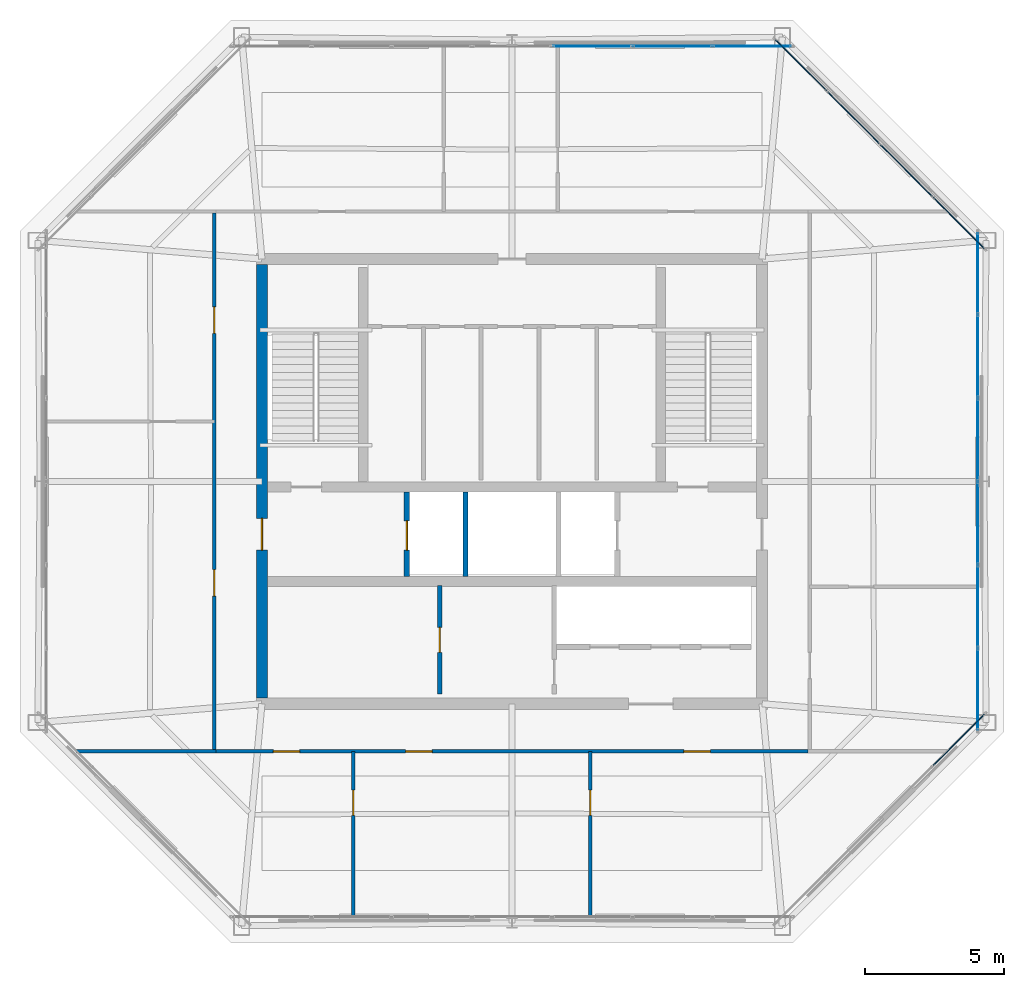
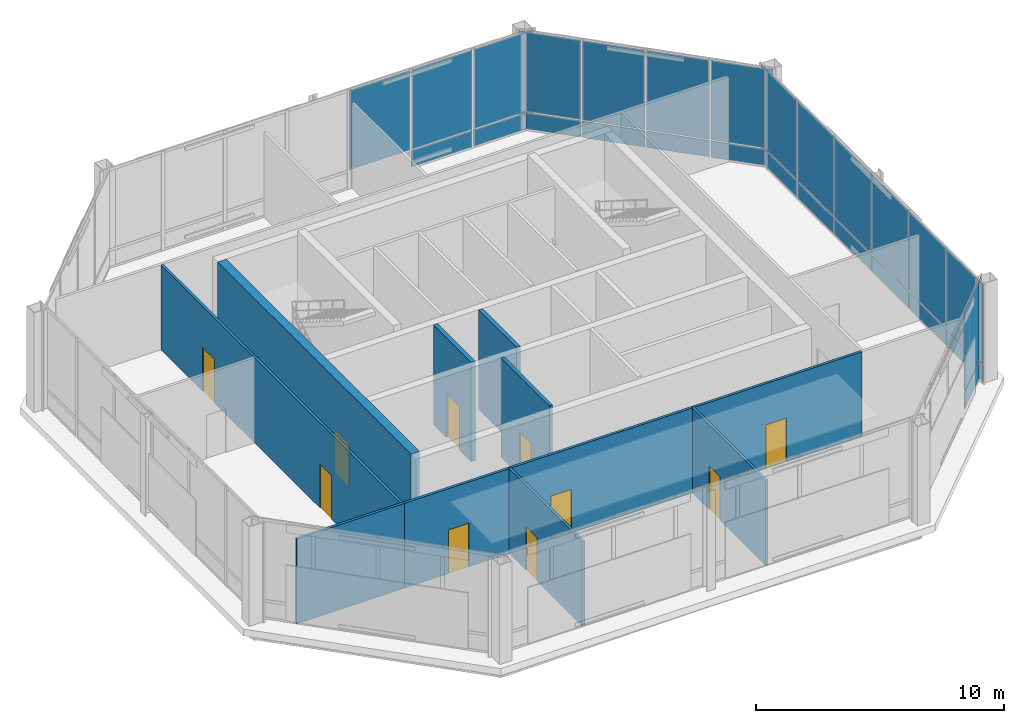
# One storey, part 18 of 21: 27 plates, 10 doors, 9 walls, 10 openings, 4 elements without a shape of their own.
"""IFC4 building model written with IfcOpenShell, lengths in metres."""

from ifc_helpers import new_model, si_unit, direction, frame, frame_2d, origin, origin_2d, place, context, subcontext, project, spatial, rectangle, extrude, material, layer, layer_set, type_object, element, fill, aggregate, save


model = new_model("IFC4")

# Units and contexts
model_context = context("Model", 3, precision=1e-05, world=origin(), true_north=direction((0.0, 1.0)))
body_context = subcontext(model_context, "Body", "Model", "MODEL_VIEW")
ifc_project = project(units=[si_unit("LENGTHUNIT", "METRE"), si_unit("AREAUNIT", "SQUARE_METRE"), si_unit("VOLUMEUNIT", "CUBIC_METRE"), si_unit("PLANEANGLEUNIT", "RADIAN"), si_unit("MASSUNIT", "GRAM", prefix="KILO")], contexts=[model_context])

# Site, building, storey
site_placement = place(None, origin())
site = spatial("IfcSite", under=ifc_project, at=site_placement, CompositionType="ELEMENT")
building_placement = place(site_placement, origin())
building = spatial("IfcBuilding", under=site, at=building_placement, Name="Caelvoria Tower", CompositionType="ELEMENT")
storey_placement = place(building_placement, frame((0.0, 0.0, 279.0)))
storey = spatial("IfcBuildingStorey", under=building, at=storey_placement, Name="L74", CompositionType="ELEMENT", Elevation=279.0)

# Curtain wall, plate
ifc_material_1 = material(Name="Anodised Bronze Aluminium and Low-E Glass", Category="aluminium")
ifc_layer_1 = layer(ifc_material_1, 0.205078125, Name="Anodised Bronze Aluminium and Low-E Glass")
ifc_layer_set_1 = layer_set([ifc_layer_1], Name="CW System 5 Observation Panorama Low-Iron Facade - Anodised Bronze Aluminium and Low-E Glass")
curtain_wall_type = type_object("IfcCurtainWallType", Name="CW System 5 Observation Panorama Low-Iron Facade", PredefinedType="NOTDEFINED", material=ifc_layer_set_1)
curtain_wall_1_placement = place(storey_placement, origin())
curtain_wall_1 = element("IfcCurtainWall", 1, at=curtain_wall_1_placement, inside=storey, type_object=curtain_wall_type, Name="CW-05 Curtain Wall L74-E1", PredefinedType="NOTDEFINED")
ifc_material_2 = material(Name="Tinted Low-E Insulated Glazing Unit", Category="glass")
ifc_layer_2 = layer(ifc_material_2, 0.028076171875, Name="Tinted Low-E Insulated Glazing Unit")
ifc_layer_set_2 = layer_set([ifc_layer_2], Name="Double-Glazed Solar-Control Vision Panel 28 - Tinted Low-E Insulated Glazing Unit")
plate_type_1 = type_object("IfcPlateType", Name="Double-Glazed Solar-Control Vision Panel 28", PredefinedType="CURTAIN_PANEL", material=ifc_layer_set_2)
plate_1_placement = place(storey_placement, frame((62.07373046875, 22.703125, 0.9326171875), z_axis=(0.0, 0.0, 1.0), x_axis=(0.707106781187, 0.707106781187, 0.0)))
plate_1 = element("IfcPlate", 2, at=plate_1_placement, type_object=plate_type_1, Name="CW-05 panel 4.2", PredefinedType="CURTAIN_PANEL", context=body_context, shape_type="SweptSolid", body=[
    extrude(rectangle(XDim=2.589599609375, YDim=0.028076171875, at=origin_2d()), origin(), (0.0, 0.0, 1.0), 3.902587890625),
])

# Curtain wall, plates
curtain_wall_2_placement = place(storey_placement, origin())
curtain_wall_2 = element("IfcCurtainWall", 3, at=curtain_wall_2_placement, inside=storey, type_object=curtain_wall_type, Name="CW-05 Curtain Wall L74-E2", PredefinedType="NOTDEFINED")
plate_2_placement = place(storey_placement, frame((62.760009765625, 24.516357421875, 0.9326171875), z_axis=(0.0, 0.0, 1.0), x_axis=(0.0, 1.0, 0.0)))
plate_2 = element("IfcPlate", 4, at=plate_2_placement, type_object=plate_type_1, Name="CW-05 panel 1.2", PredefinedType="CURTAIN_PANEL", context=body_context, shape_type="SweptSolid", body=[
    extrude(rectangle(XDim=2.902587890625, YDim=0.028076171875, at=origin_2d()), origin(), (0.0, 0.0, 1.0), 3.902587890625),
])
plate_3_placement = place(storey_placement, frame((62.760009765625, 27.5, 0.9326171875), z_axis=(0.0, 0.0, 1.0), x_axis=(0.0, 1.0, 0.0)))
plate_3 = element("IfcPlate", 5, at=plate_3_placement, type_object=plate_type_1, Name="CW-05 panel 2.2", PredefinedType="CURTAIN_PANEL", context=body_context, shape_type="SweptSolid", body=[
    extrude(rectangle(XDim=2.93505859375, YDim=0.028076171875, at=origin_2d()), origin(), (0.0, 0.0, 1.0), 3.902587890625),
])
plate_4_placement = place(storey_placement, frame((62.760009765625, 30.5, 0.9326171875), z_axis=(0.0, 0.0, 1.0), x_axis=(0.0, 1.0, 0.0)))
plate_4 = element("IfcPlate", 6, at=plate_4_placement, type_object=plate_type_1, Name="CW-05 panel 3.2", PredefinedType="CURTAIN_PANEL", context=body_context, shape_type="SweptSolid", body=[
    extrude(rectangle(XDim=2.93505859375, YDim=0.028076171875, at=origin_2d()), origin(), (0.0, 0.0, 1.0), 3.902587890625),
])
plate_5_placement = place(storey_placement, frame((62.760009765625, 33.5, 0.9326171875), z_axis=(0.0, 0.0, 1.0), x_axis=(0.0, 1.0, 0.0)))
plate_5 = element("IfcPlate", 7, at=plate_5_placement, type_object=plate_type_1, Name="CW-05 panel 4.2", PredefinedType="CURTAIN_PANEL", context=body_context, shape_type="SweptSolid", body=[
    extrude(rectangle(XDim=2.93505859375, YDim=0.028076171875, at=origin_2d()), origin(), (0.0, 0.0, 1.0), 3.902587890625),
])
plate_6_placement = place(storey_placement, frame((62.760009765625, 36.5, 0.9326171875), z_axis=(0.0, 0.0, 1.0), x_axis=(0.0, 1.0, 0.0)))
plate_6 = element("IfcPlate", 8, at=plate_6_placement, type_object=plate_type_1, Name="CW-05 panel 5.2", PredefinedType="CURTAIN_PANEL", context=body_context, shape_type="SweptSolid", body=[
    extrude(rectangle(XDim=2.93505859375, YDim=0.028076171875, at=origin_2d()), origin(), (0.0, 0.0, 1.0), 3.902587890625),
])
plate_7_placement = place(storey_placement, frame((62.760009765625, 39.483642578125, 0.9326171875), z_axis=(0.0, 0.0, 1.0), x_axis=(0.0, 1.0, 0.0)))
plate_7 = element("IfcPlate", 9, at=plate_7_placement, type_object=plate_type_1, Name="CW-05 panel 6.2", PredefinedType="CURTAIN_PANEL", context=body_context, shape_type="SweptSolid", body=[
    extrude(rectangle(XDim=2.902587890625, YDim=0.028076171875, at=origin_2d()), origin(), (0.0, 0.0, 1.0), 3.902587890625),
])

curtain_wall_3_placement = place(storey_placement, origin())
curtain_wall_3 = element("IfcCurtainWall", 10, at=curtain_wall_3_placement, inside=storey, type_object=curtain_wall_type, Name="CW-05 Curtain Wall L74-E3", PredefinedType="NOTDEFINED")
plate_8_placement = place(storey_placement, frame((62.07373046875, 41.296875, 0.9326171875), z_axis=(0.0, 0.0, 1.0), x_axis=(-0.707106781187, 0.707106781187, 0.0)))
plate_8 = element("IfcPlate", 11, at=plate_8_placement, type_object=plate_type_1, Name="CW-05 panel 1.2", PredefinedType="CURTAIN_PANEL", context=body_context, shape_type="SweptSolid", body=[
    extrude(rectangle(XDim=2.589599609375, YDim=0.028076171875, at=origin_2d()), origin(), (0.0, 0.0, 1.0), 3.902587890625),
])
plate_9_placement = place(storey_placement, frame((60.185302734375, 43.185302734375, 0.9326171875), z_axis=(0.0, 0.0, 1.0), x_axis=(-0.707106781187, 0.707106781187, 0.0)))
plate_9 = element("IfcPlate", 12, at=plate_9_placement, type_object=plate_type_1, Name="CW-05 panel 2.2", PredefinedType="CURTAIN_PANEL", context=body_context, shape_type="SweptSolid", body=[
    extrude(rectangle(XDim=2.6220703125, YDim=0.028076171875, at=origin_2d()), origin(), (0.0, 0.0, 1.0), 3.902587890625),
])
plate_10_placement = place(storey_placement, frame((58.285400390625, 45.085205078125, 0.9326171875), z_axis=(0.0, 0.0, 1.0), x_axis=(-0.707106781187, 0.707106781187, 0.0)))
plate_10 = element("IfcPlate", 13, at=plate_10_placement, type_object=plate_type_1, Name="CW-05 panel 3.2", PredefinedType="CURTAIN_PANEL", context=body_context, shape_type="SweptSolid", body=[
    extrude(rectangle(XDim=2.6220703125, YDim=0.028076171875, at=origin_2d()), origin(), (0.0, 0.0, 1.0), 3.902587890625),
])
plate_11_placement = place(storey_placement, frame((56.396728515625, 46.973876953125, 0.9326171875), z_axis=(0.0, 0.0, 1.0), x_axis=(-0.707106781187, 0.707106781187, 0.0)))
plate_11 = element("IfcPlate", 14, at=plate_11_placement, type_object=plate_type_1, Name="CW-05 panel 4.2", PredefinedType="CURTAIN_PANEL", context=body_context, shape_type="SweptSolid", body=[
    extrude(rectangle(XDim=2.589599609375, YDim=0.028076171875, at=origin_2d()), origin(), (0.0, 0.0, 1.0), 3.902587890625),
])

curtain_wall_4_placement = place(storey_placement, origin())
curtain_wall_4 = element("IfcCurtainWall", 15, at=curtain_wall_4_placement, inside=storey, type_object=curtain_wall_type, Name="CW-05 Curtain Wall L74-E4", PredefinedType="NOTDEFINED")
plate_12_placement = place(storey_placement, frame((54.640869140625, 47.659912109375, 0.9326171875), z_axis=(0.0, 0.0, 1.0), x_axis=(-1.0, 0.0, 0.0)))
plate_12 = element("IfcPlate", 16, at=plate_12_placement, type_object=plate_type_1, Name="CW-05 panel 1.2", PredefinedType="CURTAIN_PANEL", context=body_context, shape_type="SweptSolid", body=[
    extrude(rectangle(XDim=2.788330078125, YDim=0.028076171875, at=origin_2d()), origin(), (0.0, 0.0, 1.0), 3.902587890625),
])
plate_13_placement = place(storey_placement, frame((51.771484375, 47.659912109375, 0.9326171875), z_axis=(0.0, 0.0, 1.0), x_axis=(-1.0, 0.0, 0.0)))
plate_13 = element("IfcPlate", 17, at=plate_13_placement, type_object=plate_type_1, Name="CW-05 panel 2.2", PredefinedType="CURTAIN_PANEL", context=body_context, shape_type="SweptSolid", body=[
    extrude(rectangle(XDim=2.82080078125, YDim=0.028076171875, at=origin_2d()), origin(), (0.0, 0.0, 1.0), 3.902587890625),
])
plate_14_placement = place(storey_placement, frame((48.8857421875, 47.659912109375, 0.9326171875), z_axis=(0.0, 0.0, 1.0), x_axis=(-1.0, 0.0, 0.0)))
plate_14 = element("IfcPlate", 18, at=plate_14_placement, type_object=plate_type_1, Name="CW-05 panel 3.2", PredefinedType="CURTAIN_PANEL", context=body_context, shape_type="SweptSolid", body=[
    extrude(rectangle(XDim=2.82080078125, YDim=0.028076171875, at=origin_2d()), origin(), (0.0, 0.0, 1.0), 3.902587890625),
])

# Plate
ifc_material_3 = material(Name="Anodised Bronze Insulated Aluminium Panel", Category="aluminium")
ifc_layer_3 = layer(ifc_material_3, 0.031982421875, Name="Anodised Bronze Insulated Aluminium Panel")
ifc_layer_set_3 = layer_set([ifc_layer_3], Name="Insulated Bronze Spandrel Curtain Panel 32 - Anodised Bronze Insulated Aluminium Panel")
plate_type_2 = type_object("IfcPlateType", Name="Insulated Bronze Spandrel Curtain Panel 32", PredefinedType="CURTAIN_PANEL", material=ifc_layer_set_3)
plate_15_placement = place(storey_placement, frame((62.07373046875, 22.703125, 0.06494140625), z_axis=(0.0, 0.0, 1.0), x_axis=(0.707106781187, 0.707106781187, 0.0)))
plate_15 = element("IfcPlate", 19, at=plate_15_placement, type_object=plate_type_2, Name="CW-05 panel 4.1", PredefinedType="CURTAIN_PANEL", context=body_context, shape_type="SweptSolid", body=[
    extrude(rectangle(XDim=2.589599609375, YDim=0.031982421875, at=origin_2d()), origin(), (0.0, 0.0, 1.0), 0.802490234375),
])

aggregate(curtain_wall_1, [plate_15, plate_1])

plate_16_placement = place(storey_placement, frame((62.760009765625, 24.516357421875, 0.06494140625), z_axis=(0.0, 0.0, 1.0), x_axis=(0.0, 1.0, 0.0)))
plate_16 = element("IfcPlate", 20, at=plate_16_placement, type_object=plate_type_2, Name="CW-05 panel 1.1", PredefinedType="CURTAIN_PANEL", context=body_context, shape_type="SweptSolid", body=[
    extrude(rectangle(XDim=2.902587890625, YDim=0.031982421875, at=origin_2d()), origin(), (0.0, 0.0, 1.0), 0.802490234375),
])

plate_17_placement = place(storey_placement, frame((62.760009765625, 27.5, 0.06494140625), z_axis=(0.0, 0.0, 1.0), x_axis=(0.0, 1.0, 0.0)))
plate_17 = element("IfcPlate", 21, at=plate_17_placement, type_object=plate_type_2, Name="CW-05 panel 2.1", PredefinedType="CURTAIN_PANEL", context=body_context, shape_type="SweptSolid", body=[
    extrude(rectangle(XDim=2.93505859375, YDim=0.031982421875, at=origin_2d()), origin(), (0.0, 0.0, 1.0), 0.802490234375),
])

plate_18_placement = place(storey_placement, frame((62.760009765625, 30.5, 0.06494140625), z_axis=(0.0, 0.0, 1.0), x_axis=(0.0, 1.0, 0.0)))
plate_18 = element("IfcPlate", 22, at=plate_18_placement, type_object=plate_type_2, Name="CW-05 panel 3.1", PredefinedType="CURTAIN_PANEL", context=body_context, shape_type="SweptSolid", body=[
    extrude(rectangle(XDim=2.93505859375, YDim=0.031982421875, at=origin_2d()), origin(), (0.0, 0.0, 1.0), 0.802490234375),
])

plate_19_placement = place(storey_placement, frame((62.760009765625, 33.5, 0.06494140625), z_axis=(0.0, 0.0, 1.0), x_axis=(0.0, 1.0, 0.0)))
plate_19 = element("IfcPlate", 23, at=plate_19_placement, type_object=plate_type_2, Name="CW-05 panel 4.1", PredefinedType="CURTAIN_PANEL", context=body_context, shape_type="SweptSolid", body=[
    extrude(rectangle(XDim=2.93505859375, YDim=0.031982421875, at=origin_2d()), origin(), (0.0, 0.0, 1.0), 0.802490234375),
])

plate_20_placement = place(storey_placement, frame((62.760009765625, 36.5, 0.06494140625), z_axis=(0.0, 0.0, 1.0), x_axis=(0.0, 1.0, 0.0)))
plate_20 = element("IfcPlate", 24, at=plate_20_placement, type_object=plate_type_2, Name="CW-05 panel 5.1", PredefinedType="CURTAIN_PANEL", context=body_context, shape_type="SweptSolid", body=[
    extrude(rectangle(XDim=2.93505859375, YDim=0.031982421875, at=origin_2d()), origin(), (0.0, 0.0, 1.0), 0.802490234375),
])

plate_21_placement = place(storey_placement, frame((62.760009765625, 39.483642578125, 0.06494140625), z_axis=(0.0, 0.0, 1.0), x_axis=(0.0, 1.0, 0.0)))
plate_21 = element("IfcPlate", 25, at=plate_21_placement, type_object=plate_type_2, Name="CW-05 panel 6.1", PredefinedType="CURTAIN_PANEL", context=body_context, shape_type="SweptSolid", body=[
    extrude(rectangle(XDim=2.902587890625, YDim=0.031982421875, at=origin_2d()), origin(), (0.0, 0.0, 1.0), 0.802490234375),
])

aggregate(curtain_wall_2, [plate_16, plate_2, plate_17, plate_3, plate_18, plate_4, plate_19, plate_5, plate_20, plate_6, plate_21, plate_7])

plate_22_placement = place(storey_placement, frame((62.07373046875, 41.296875, 0.06494140625), z_axis=(0.0, 0.0, 1.0), x_axis=(-0.707106781187, 0.707106781187, 0.0)))
plate_22 = element("IfcPlate", 26, at=plate_22_placement, type_object=plate_type_2, Name="CW-05 panel 1.1", PredefinedType="CURTAIN_PANEL", context=body_context, shape_type="SweptSolid", body=[
    extrude(rectangle(XDim=2.589599609375, YDim=0.031982421875, at=origin_2d()), origin(), (0.0, 0.0, 1.0), 0.802490234375),
])

plate_23_placement = place(storey_placement, frame((60.185302734375, 43.185302734375, 0.06494140625), z_axis=(0.0, 0.0, 1.0), x_axis=(-0.707106781187, 0.707106781187, 0.0)))
plate_23 = element("IfcPlate", 27, at=plate_23_placement, type_object=plate_type_2, Name="CW-05 panel 2.1", PredefinedType="CURTAIN_PANEL", context=body_context, shape_type="SweptSolid", body=[
    extrude(rectangle(XDim=2.6220703125, YDim=0.031982421875, at=origin_2d()), origin(), (0.0, 0.0, 1.0), 0.802490234375),
])

plate_24_placement = place(storey_placement, frame((58.285400390625, 45.085205078125, 0.06494140625), z_axis=(0.0, 0.0, 1.0), x_axis=(-0.707106781187, 0.707106781187, 0.0)))
plate_24 = element("IfcPlate", 28, at=plate_24_placement, type_object=plate_type_2, Name="CW-05 panel 3.1", PredefinedType="CURTAIN_PANEL", context=body_context, shape_type="SweptSolid", body=[
    extrude(rectangle(XDim=2.6220703125, YDim=0.031982421875, at=origin_2d()), origin(), (0.0, 0.0, 1.0), 0.802490234375),
])

plate_25_placement = place(storey_placement, frame((56.396728515625, 46.973876953125, 0.06494140625), z_axis=(0.0, 0.0, 1.0), x_axis=(-0.707106781187, 0.707106781187, 0.0)))
plate_25 = element("IfcPlate", 29, at=plate_25_placement, type_object=plate_type_2, Name="CW-05 panel 4.1", PredefinedType="CURTAIN_PANEL", context=body_context, shape_type="SweptSolid", body=[
    extrude(rectangle(XDim=2.589599609375, YDim=0.031982421875, at=origin_2d()), origin(), (0.0, 0.0, 1.0), 0.802490234375),
])

aggregate(curtain_wall_3, [plate_22, plate_8, plate_23, plate_9, plate_24, plate_10, plate_25, plate_11])

plate_26_placement = place(storey_placement, frame((54.640869140625, 47.659912109375, 0.06494140625), z_axis=(0.0, 0.0, 1.0), x_axis=(-1.0, 0.0, 0.0)))
plate_26 = element("IfcPlate", 30, at=plate_26_placement, type_object=plate_type_2, Name="CW-05 panel 1.1", PredefinedType="CURTAIN_PANEL", context=body_context, shape_type="SweptSolid", body=[
    extrude(rectangle(XDim=2.788330078125, YDim=0.031982421875, at=origin_2d()), origin(), (0.0, 0.0, 1.0), 0.802490234375),
])

plate_27_placement = place(storey_placement, frame((51.771484375, 47.659912109375, 0.06494140625), z_axis=(0.0, 0.0, 1.0), x_axis=(-1.0, 0.0, 0.0)))
plate_27 = element("IfcPlate", 31, at=plate_27_placement, type_object=plate_type_2, Name="CW-05 panel 2.1", PredefinedType="CURTAIN_PANEL", context=body_context, shape_type="SweptSolid", body=[
    extrude(rectangle(XDim=2.82080078125, YDim=0.031982421875, at=origin_2d()), origin(), (0.0, 0.0, 1.0), 0.802490234375),
])

aggregate(curtain_wall_4, [plate_26, plate_12, plate_27, plate_13, plate_14])

# Wall, opening, door
ifc_material_4 = material(Name="Double Gypsum Board on Steel Stud", Category="steel")
ifc_layer_4 = layer(ifc_material_4, 0.14990234375, Name="Double Gypsum Board on Steel Stud")
ifc_layer_set_4 = layer_set([ifc_layer_4], Name="Core Service Acoustic Partition Wall 150 - Double Gypsum Board on Steel Stud")
wall_type_1 = type_object("IfcWallType", Name="Core Service Acoustic Partition Wall 150", PredefinedType="PARTITIONING", material=ifc_layer_set_4)
wall_1_placement = place(storey_placement, frame((43.39990234375, 24.35009765625, 0.0), z_axis=(0.0, 0.0, 1.0), x_axis=(0.0, 1.0, 0.0)))
wall_1 = element("IfcWall", 32, at=wall_1_placement, inside=storey, type_object=wall_type_1, Name="Interior Partition IW-L74-RECL-MID", PredefinedType="PARTITIONING", context=body_context, shape_type="SweptSolid", body=[
    extrude(rectangle(XDim=3.89990234375, YDim=0.14990234375, at=frame_2d((1.949951171875, 0.0))), origin(), (0.0, 0.0, 1.0), 4.89990234375),
])
opening_1_placement = place(wall_1_placement, frame((1.5, 0.0, 0.0)))
opening_1 = element("IfcOpeningElement", 33, at=opening_1_placement, cuts=wall_1, Name="Opening ID-06", PredefinedType="OPENING", context=body_context, shape_type="SweptSolid", body=[
    extrude(rectangle(XDim=0.89990234375, YDim=2.14990234375, at=frame_2d((0.449951171875, 1.074951171875))), frame((0.0, 0.0849609375, 0.0), z_axis=(0.0, -1.0, 0.0), x_axis=(1.0, 0.0, 0.0)), (0.0, 0.0, 1.0), 0.169921875),
])
ifc_material_5 = material(Name="Engineered Andean Oak Veneer Door", Category="wood")
door_type_1 = type_object("IfcDoorType", Name="Interior Timber Door 900x2150", OperationType="NOTDEFINED", PredefinedType="DOOR", material=ifc_material_5)
door_1_placement = place(opening_1_placement, origin())
door_1 = element("IfcDoor", 34, at=door_1_placement, inside=storey, type_object=door_type_1, Name="Interior Door DR-L74-RECL12", OperationType="SINGLE_SWING_LEFT", OverallHeight=2.14990234375, OverallWidth=0.89990234375, PredefinedType="DOOR", context=body_context, shape_type="SweptSolid", body=[
    extrude(rectangle(XDim=0.89990234375, YDim=2.14990234375, at=frame_2d((0.449951171875, 1.074951171875))), frame((0.0, 0.02490234375, 0.0), z_axis=(0.0, -1.0, 0.0), x_axis=(1.0, 0.0, 0.0)), (0.0, 0.0, 1.0), 0.050048828125),
])
fill(opening_1, door_1)

# Wall
ifc_material_6 = material(Name="Concrete Block and Fireboard Assembly", Category="concrete")
ifc_layer_5 = layer(ifc_material_6, 0.179931640625, Name="Concrete Block and Fireboard Assembly")
ifc_layer_set_5 = layer_set([ifc_layer_5], Name="Fire-Rated Hoistway Partition Wall 180 - Concrete Block and Fireboard Assembly")
wall_type_2 = type_object("IfcWallType", Name="Fire-Rated Hoistway Partition Wall 180", PredefinedType="PARTITIONING", material=ifc_layer_set_5)
wall_2_placement = place(storey_placement, frame((44.320068359375, 28.580078125, 0.0), z_axis=(0.0, 0.0, 1.0), x_axis=(0.0, 1.0, 0.0)))
element("IfcWall", 35, at=wall_2_placement, inside=storey, type_object=wall_type_2, Name="Interior Partition IW-L74-SV1W", PredefinedType="PARTITIONING", context=body_context, shape_type="SweptSolid", body=[
    extrude(rectangle(XDim=3.0400390625, YDim=0.179931640625, at=frame_2d((1.52001953125, 0.0))), origin(), (0.0, 0.0, 1.0), 4.89990234375),
])

# Wall, opening, door
ifc_layer_6 = layer(ifc_material_6, 0.199951171875, Name="Concrete Block and Fireboard Assembly")
ifc_layer_set_6 = layer_set([ifc_layer_6], Name="Fire-Rated Shaft and Core Partition Wall 200 - Concrete Block and Fireboard Assembly")
wall_type_3 = type_object("IfcWallType", Name="Fire-Rated Shaft and Core Partition Wall 200", PredefinedType="PARTITIONING", material=ifc_layer_set_6)
wall_3_placement = place(storey_placement, frame((42.219970703125, 28.580078125, 0.0), z_axis=(0.0, 0.0, 1.0), x_axis=(0.0, 1.0, 0.0)))
wall_3 = element("IfcWall", 36, at=wall_3_placement, inside=storey, type_object=wall_type_3, Name="Interior Partition IW-L74-LF1W", PredefinedType="PARTITIONING", context=body_context, shape_type="SweptSolid", body=[
    extrude(rectangle(XDim=3.0400390625, YDim=0.199951171875, at=frame_2d((1.52001953125, 0.0))), origin(), (0.0, 0.0, 1.0), 4.89990234375),
])
opening_2_placement = place(wall_3_placement, frame((0.949951171875, 0.0, 0.0)))
opening_2 = element("IfcOpeningElement", 37, at=opening_2_placement, cuts=wall_3, Name="Opening LD-01", PredefinedType="OPENING", context=body_context, shape_type="SweptSolid", body=[
    extrude(rectangle(XDim=1.050048828125, YDim=2.14990234375, at=frame_2d((0.52490234375, 1.074951171875))), frame((0.0, 0.10986328125, 0.0), z_axis=(0.0, -1.0, 0.0), x_axis=(1.0, 0.0, 0.0)), (0.0, 0.0, 1.0), 0.219970703125),
])
ifc_material_7 = material(Name="Brushed Bronze Stainless Sliding Landing Door", Category="aluminium")
door_type_2 = type_object("IfcDoorType", Name="Lift Landing Sliding Door 1100x2150", OperationType="NOTDEFINED", PredefinedType="DOOR", material=ifc_material_7)
door_2_placement = place(opening_2_placement, origin())
door_2 = element("IfcDoor", 38, at=door_2_placement, inside=storey, type_object=door_type_2, Name="Interior Door LD-L74-LF1", OperationType="SLIDING_TO_LEFT", OverallHeight=2.14990234375, OverallWidth=1.050048828125, PredefinedType="DOOR", context=body_context, shape_type="SweptSolid", body=[
    extrude(rectangle(XDim=1.050048828125, YDim=2.14990234375, at=frame_2d((0.52490234375, 1.074951171875))), frame((0.0, 0.02490234375, 0.0), z_axis=(0.0, -1.0, 0.0), x_axis=(1.0, 0.0, 0.0)), (0.0, 0.0, 1.0), 0.050048828125),
])
fill(opening_2, door_2)

ifc_material_8 = material(Name="Concrete C50/60", Category="concrete")
ifc_layer_7 = layer(ifc_material_8, 0.39990234375, Name="Concrete C50/60")
ifc_layer_set_7 = layer_set([ifc_layer_7], Name="Summit Core Shear Wall 400 - Concrete C50/60")
wall_type_4 = type_object("IfcWallType", Name="Summit Core Shear Wall 400", PredefinedType="SHEAR", material=ifc_layer_set_7)
wall_4_placement = place(storey_placement, frame((37.0, 24.199951171875, 0.0), z_axis=(0.0, 0.0, 1.0), x_axis=(0.0, 1.0, 0.0)))
wall_4 = element("IfcWall", 39, at=wall_4_placement, inside=storey, type_object=wall_type_4, Name="Core Shear Wall L74 W", PredefinedType="SHEAR", context=body_context, shape_type="SweptSolid", body=[
    extrude(rectangle(XDim=15.60009765625, YDim=0.39990234375, at=frame_2d((7.800048828125, 0.0))), origin(), (0.0, 0.0, 1.0), 4.89990234375),
])
opening_3_placement = place(wall_4_placement, frame((5.324951171875, 0.0, 0.0)))
opening_3 = element("IfcOpeningElement", 40, at=opening_3_placement, cuts=wall_4, Name="Opening ID-02", PredefinedType="OPENING", context=body_context, shape_type="SweptSolid", body=[
    extrude(rectangle(XDim=1.14990234375, YDim=2.14990234375, at=frame_2d((0.574951171875, 1.074951171875))), frame((0.0, 0.2099609375, 0.0), z_axis=(0.0, -1.0, 0.0), x_axis=(1.0, 0.0, 0.0)), (0.0, 0.0, 1.0), 0.419921875),
])
ifc_material_9 = material(Name="Painted Hollow Steel Fire Door", Category="steel")
door_type_3 = type_object("IfcDoorType", Name="Fire Door FD60S 1150x2150", OperationType="NOTDEFINED", PredefinedType="DOOR", material=ifc_material_9)
door_3_placement = place(opening_3_placement, origin())
door_3 = element("IfcDoor", 41, at=door_3_placement, inside=storey, type_object=door_type_3, Name="Core Door DR-L74-FFLW-OUT", OperationType="SINGLE_SWING_LEFT", OverallHeight=2.14990234375, OverallWidth=1.14990234375, PredefinedType="DOOR", context=body_context, shape_type="SweptSolid", body=[
    extrude(rectangle(XDim=1.14990234375, YDim=2.14990234375, at=frame_2d((0.574951171875, 1.074951171875))), frame((0.0, 0.02490234375, 0.0), z_axis=(0.0, -1.0, 0.0), x_axis=(1.0, 0.0, 0.0)), (0.0, 0.0, 1.0), 0.050048828125),
])
fill(opening_3, door_3)

ifc_material_10 = material(Name="Acoustic Gypsum Board on Light-Gauge Stud", Category="gypsum")
ifc_layer_8 = layer(ifc_material_10, 0.1201171875, Name="Acoustic Gypsum Board on Light-Gauge Stud")
ifc_layer_set_8 = layer_set([ifc_layer_8], Name="Tenant Suite Acoustic Partition Wall 120 - Acoustic Gypsum Board on Light-Gauge Stud")
wall_type_5 = type_object("IfcWallType", Name="Tenant Suite Acoustic Partition Wall 120", PredefinedType="PARTITIONING", material=ifc_layer_set_8)
wall_5_placement = place(storey_placement, frame((40.287109375, 22.2900390625, 0.0), z_axis=(0.0, 0.0, 1.0), x_axis=(0.0, -1.0, 0.0)))
wall_5 = element("IfcWall", 42, at=wall_5_placement, inside=storey, type_object=wall_type_5, Name="Interior Partition IW-L74-SD-00-0", PredefinedType="PARTITIONING", context=body_context, shape_type="SweptSolid", body=[
    extrude(rectangle(XDim=5.949951171875, YDim=0.1201171875, at=frame_2d((2.97509765625, 0.0))), origin(), (0.0, 0.0, 1.0), 4.179931640625),
])
opening_4_placement = place(wall_5_placement, frame((1.39990234375, 0.0, 0.0)))
opening_4 = element("IfcOpeningElement", 43, at=opening_4_placement, cuts=wall_5, Name="Opening ID-06", PredefinedType="OPENING", context=body_context, shape_type="SweptSolid", body=[
    extrude(rectangle(XDim=0.89990234375, YDim=2.14990234375, at=frame_2d((0.449951171875, 1.074951171875))), frame((0.0, 0.070068359375, 0.0), z_axis=(0.0, -1.0, 0.0), x_axis=(1.0, 0.0, 0.0)), (0.0, 0.0, 1.0), 0.14013671875),
])
door_4_placement = place(opening_4_placement, origin())
door_4 = element("IfcDoor", 44, at=door_4_placement, inside=storey, type_object=door_type_1, Name="Interior Door DR-L74-SM-00-0", OperationType="SINGLE_SWING_RIGHT", OverallHeight=2.14990234375, OverallWidth=0.89990234375, PredefinedType="DOOR", context=body_context, shape_type="SweptSolid", body=[
    extrude(rectangle(XDim=0.89990234375, YDim=2.14990234375, at=frame_2d((0.449951171875, 1.074951171875))), frame((0.0, 0.02490234375, 0.0), z_axis=(0.0, -1.0, 0.0), x_axis=(1.0, 0.0, 0.0)), (0.0, 0.0, 1.0), 0.050048828125),
])
fill(opening_4, door_4)

wall_6_placement = place(storey_placement, frame((48.81396484375, 22.2900390625, 0.0), z_axis=(0.0, 0.0, 1.0), x_axis=(0.0, -1.0, 0.0)))
wall_6 = element("IfcWall", 45, at=wall_6_placement, inside=storey, type_object=wall_type_5, Name="Interior Partition IW-L74-SD-01-0", PredefinedType="PARTITIONING", context=body_context, shape_type="SweptSolid", body=[
    extrude(rectangle(XDim=5.949951171875, YDim=0.1201171875, at=frame_2d((2.97509765625, 0.0))), origin(), (0.0, 0.0, 1.0), 4.179931640625),
])
opening_5_placement = place(wall_6_placement, frame((1.39990234375, 0.0, 0.0)))
opening_5 = element("IfcOpeningElement", 46, at=opening_5_placement, cuts=wall_6, Name="Opening ID-06", PredefinedType="OPENING", context=body_context, shape_type="SweptSolid", body=[
    extrude(rectangle(XDim=0.89990234375, YDim=2.14990234375, at=frame_2d((0.449951171875, 1.074951171875))), frame((0.0, 0.070068359375, 0.0), z_axis=(0.0, -1.0, 0.0), x_axis=(1.0, 0.0, 0.0)), (0.0, 0.0, 1.0), 0.14013671875),
])
door_5_placement = place(opening_5_placement, origin())
door_5 = element("IfcDoor", 47, at=door_5_placement, inside=storey, type_object=door_type_1, Name="Interior Door DR-L74-SM-01-0", OperationType="SINGLE_SWING_LEFT", OverallHeight=2.14990234375, OverallWidth=0.89990234375, PredefinedType="DOOR", context=body_context, shape_type="SweptSolid", body=[
    extrude(rectangle(XDim=0.89990234375, YDim=2.14990234375, at=frame_2d((0.449951171875, 1.074951171875))), frame((0.0, 0.02490234375, 0.0), z_axis=(0.0, -1.0, 0.0), x_axis=(1.0, 0.0, 0.0)), (0.0, 0.0, 1.0), 0.050048828125),
])
fill(opening_5, door_5)

# Wall, openings, doors
wall_7_placement = place(storey_placement, frame((35.35009765625, 22.2900390625, 0.0), z_axis=(0.0, 0.0, 1.0), x_axis=(1.0, 0.0, 0.0)))
wall_7 = element("IfcWall", 48, at=wall_7_placement, inside=storey, type_object=wall_type_5, Name="Interior Partition IW-L74-SCW-0", PredefinedType="PARTITIONING", context=body_context, shape_type="SweptSolid", body=[
    extrude(rectangle(XDim=21.2998046875, YDim=0.1201171875, at=frame_2d((10.64990234375, 0.0))), origin(), (0.0, 0.0, 1.0), 4.179931640625),
])
opening_6_placement = place(wall_7_placement, frame((2.063720703125, 0.0, 0.0)))
opening_6 = element("IfcOpeningElement", 49, at=opening_6_placement, cuts=wall_7, Name="Opening ID-05", PredefinedType="OPENING", context=body_context, shape_type="SweptSolid", body=[
    extrude(rectangle(XDim=0.949951171875, YDim=2.14990234375, at=frame_2d((0.47509765625, 1.074951171875))), frame((0.0, 0.070068359375, 0.0), z_axis=(0.0, -1.0, 0.0), x_axis=(1.0, 0.0, 0.0)), (0.0, 0.0, 1.0), 0.14013671875),
])
opening_7_placement = place(wall_7_placement, frame((6.823486328125, 0.0, 0.0)))
opening_7 = element("IfcOpeningElement", 50, at=opening_7_placement, cuts=wall_7, Name="Opening ID-05", PredefinedType="OPENING", context=body_context, shape_type="SweptSolid", body=[
    extrude(rectangle(XDim=0.949951171875, YDim=2.14990234375, at=frame_2d((0.47509765625, 1.074951171875))), frame((0.0, 0.070068359375, 0.0), z_axis=(0.0, -1.0, 0.0), x_axis=(1.0, 0.0, 0.0)), (0.0, 0.0, 1.0), 0.14013671875),
])
opening_8_placement = place(wall_7_placement, frame((16.8369140625, 0.0, 0.0)))
opening_8 = element("IfcOpeningElement", 51, at=opening_8_placement, cuts=wall_7, Name="Opening ID-05", PredefinedType="OPENING", context=body_context, shape_type="SweptSolid", body=[
    extrude(rectangle(XDim=0.949951171875, YDim=2.14990234375, at=frame_2d((0.47509765625, 1.074951171875))), frame((0.0, 0.070068359375, 0.0), z_axis=(0.0, -1.0, 0.0), x_axis=(1.0, 0.0, 0.0)), (0.0, 0.0, 1.0), 0.14013671875),
])
door_type_4 = type_object("IfcDoorType", Name="Interior Timber Door 950x2150", OperationType="NOTDEFINED", PredefinedType="DOOR", material=ifc_material_5)
door_6_placement = place(opening_6_placement, origin())
door_6 = element("IfcDoor", 52, at=door_6_placement, inside=storey, type_object=door_type_4, Name="Interior Door DR-L74-SC-00-0", OperationType="SINGLE_SWING_LEFT", OverallHeight=2.14990234375, OverallWidth=0.949951171875, PredefinedType="DOOR", context=body_context, shape_type="SweptSolid", body=[
    extrude(rectangle(XDim=0.949951171875, YDim=2.14990234375, at=frame_2d((0.47509765625, 1.074951171875))), frame((0.0, 0.02490234375, 0.0), z_axis=(0.0, -1.0, 0.0), x_axis=(1.0, 0.0, 0.0)), (0.0, 0.0, 1.0), 0.050048828125),
])
fill(opening_6, door_6)
door_7_placement = place(opening_7_placement, origin())
door_7 = element("IfcDoor", 53, at=door_7_placement, inside=storey, type_object=door_type_4, Name="Interior Door DR-L74-SC-01-0", OperationType="SINGLE_SWING_RIGHT", OverallHeight=2.14990234375, OverallWidth=0.949951171875, PredefinedType="DOOR", context=body_context, shape_type="SweptSolid", body=[
    extrude(rectangle(XDim=0.949951171875, YDim=2.14990234375, at=frame_2d((0.47509765625, 1.074951171875))), frame((0.0, 0.02490234375, 0.0), z_axis=(0.0, -1.0, 0.0), x_axis=(1.0, 0.0, 0.0)), (0.0, 0.0, 1.0), 0.050048828125),
])
fill(opening_7, door_7)
door_8_placement = place(opening_8_placement, origin())
door_8 = element("IfcDoor", 54, at=door_8_placement, inside=storey, type_object=door_type_4, Name="Interior Door DR-L74-SC-02-0", OperationType="SINGLE_SWING_LEFT", OverallHeight=2.14990234375, OverallWidth=0.949951171875, PredefinedType="DOOR", context=body_context, shape_type="SweptSolid", body=[
    extrude(rectangle(XDim=0.949951171875, YDim=2.14990234375, at=frame_2d((0.47509765625, 1.074951171875))), frame((0.0, 0.02490234375, 0.0), z_axis=(0.0, -1.0, 0.0), x_axis=(1.0, 0.0, 0.0)), (0.0, 0.0, 1.0), 0.050048828125),
])
fill(opening_8, door_8)

wall_8_placement = place(storey_placement, frame((35.2900390625, 22.35009765625, 0.0), z_axis=(0.0, 0.0, 1.0), x_axis=(0.0, 1.0, 0.0)))
wall_8 = element("IfcWall", 55, at=wall_8_placement, inside=storey, type_object=wall_type_5, Name="Interior Partition IW-L74-WCW-0", PredefinedType="PARTITIONING", context=body_context, shape_type="SweptSolid", body=[
    extrude(rectangle(XDim=19.2998046875, YDim=0.1201171875, at=frame_2d((9.64990234375, 0.0))), origin(), (0.0, 0.0, 1.0), 4.179931640625),
])
opening_9_placement = place(wall_8_placement, frame((5.527099609375, 0.0, 0.0)))
opening_9 = element("IfcOpeningElement", 56, at=opening_9_placement, cuts=wall_8, Name="Opening ID-05", PredefinedType="OPENING", context=body_context, shape_type="SweptSolid", body=[
    extrude(rectangle(XDim=0.949951171875, YDim=2.14990234375, at=frame_2d((0.47509765625, 1.074951171875))), frame((0.0, 0.070068359375, 0.0), z_axis=(0.0, -1.0, 0.0), x_axis=(1.0, 0.0, 0.0)), (0.0, 0.0, 1.0), 0.14013671875),
])
opening_10_placement = place(wall_8_placement, frame((14.977294921875, 0.0, 0.0)))
opening_10 = element("IfcOpeningElement", 57, at=opening_10_placement, cuts=wall_8, Name="Opening ID-05", PredefinedType="OPENING", context=body_context, shape_type="SweptSolid", body=[
    extrude(rectangle(XDim=0.949951171875, YDim=2.14990234375, at=frame_2d((0.47509765625, 1.074951171875))), frame((0.0, 0.070068359375, 0.0), z_axis=(0.0, -1.0, 0.0), x_axis=(1.0, 0.0, 0.0)), (0.0, 0.0, 1.0), 0.14013671875),
])
door_9_placement = place(opening_9_placement, origin())
door_9 = element("IfcDoor", 58, at=door_9_placement, inside=storey, type_object=door_type_4, Name="Interior Door DR-L74-WC-00-0", OperationType="SINGLE_SWING_LEFT", OverallHeight=2.14990234375, OverallWidth=0.949951171875, PredefinedType="DOOR", context=body_context, shape_type="SweptSolid", body=[
    extrude(rectangle(XDim=0.949951171875, YDim=2.14990234375, at=frame_2d((0.47509765625, 1.074951171875))), frame((0.0, 0.02490234375, 0.0), z_axis=(0.0, -1.0, 0.0), x_axis=(1.0, 0.0, 0.0)), (0.0, 0.0, 1.0), 0.050048828125),
])
fill(opening_9, door_9)
door_10_placement = place(opening_10_placement, origin())
door_10 = element("IfcDoor", 59, at=door_10_placement, inside=storey, type_object=door_type_4, Name="Interior Door DR-L74-WC-01-0", OperationType="SINGLE_SWING_RIGHT", OverallHeight=2.14990234375, OverallWidth=0.949951171875, PredefinedType="DOOR", context=body_context, shape_type="SweptSolid", body=[
    extrude(rectangle(XDim=0.949951171875, YDim=2.14990234375, at=frame_2d((0.47509765625, 1.074951171875))), frame((0.0, 0.02490234375, 0.0), z_axis=(0.0, -1.0, 0.0), x_axis=(1.0, 0.0, 0.0)), (0.0, 0.0, 1.0), 0.050048828125),
])
fill(opening_10, door_10)

# Wall
wall_9_placement = place(storey_placement, frame((35.35009765625, 22.2900390625, 0.0), z_axis=(0.0, 0.0, 1.0), x_axis=(-1.0, 0.0, 0.0)))
element("IfcWall", 60, at=wall_9_placement, inside=storey, type_object=wall_type_5, Name="Interior Partition IW-L74-BSW-0", PredefinedType="PARTITIONING", context=body_context, shape_type="SweptSolid", body=[
    extrude(rectangle(XDim=5.0107421875, YDim=0.1201171875, at=frame_2d((2.50537109375, 0.0))), origin(), (0.0, 0.0, 1.0), 4.179931640625),
])

save(model, "model.ifc")
